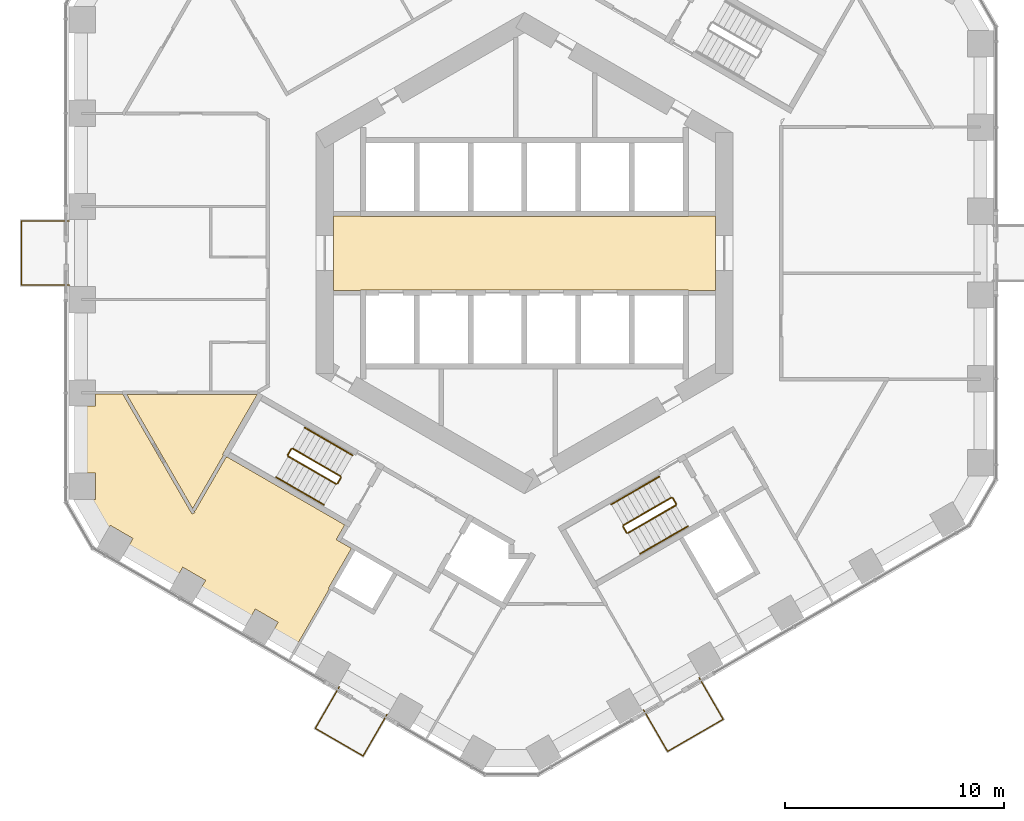
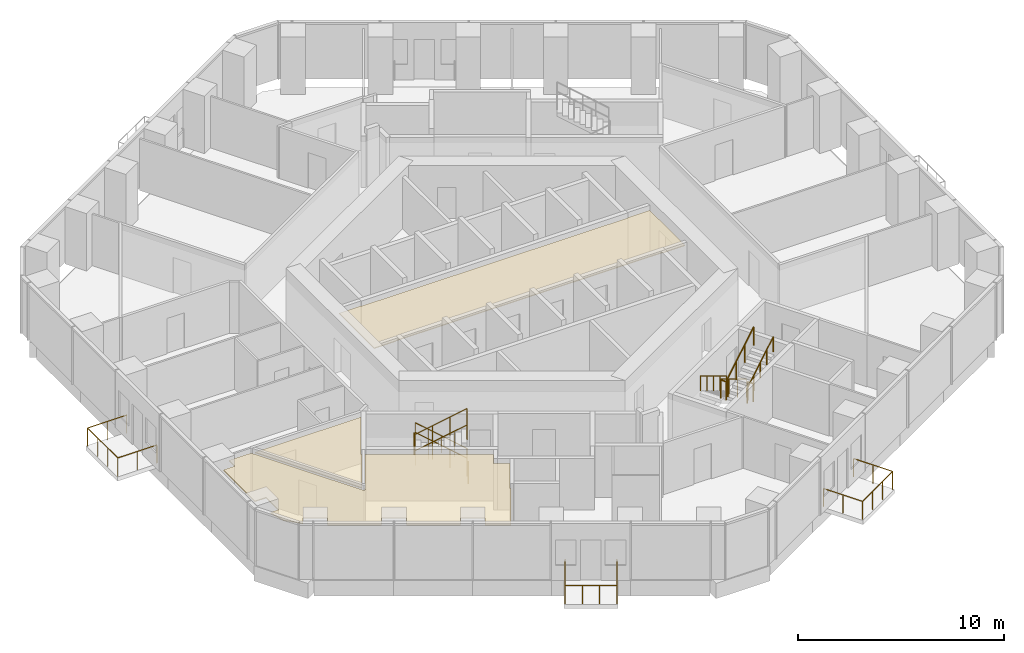
# One storey, part 18 of 20: 19 railings, 3 coverings.
"""IFC4 building model written with IfcOpenShell, lengths in metres."""

from ifc_helpers import new_model, si_unit, direction, frame, origin, origin_2d, place, context, subcontext, project, spatial, polyline, circle, outline, extrude, material, layer, layer_set, type_object, element, save


model = new_model("IFC4")

# Units and contexts
model_context = context("Model", 3, precision=1e-05, world=origin(), true_north=direction((0.0, 1.0)))
body_context = subcontext(model_context, "Body", "Model", "MODEL_VIEW")
ifc_project = project(units=[si_unit("LENGTHUNIT", "METRE"), si_unit("AREAUNIT", "SQUARE_METRE"), si_unit("VOLUMEUNIT", "CUBIC_METRE"), si_unit("PLANEANGLEUNIT", "RADIAN"), si_unit("MASSUNIT", "GRAM", prefix="KILO")], contexts=[model_context])

# Site, building, storey
site_placement = place(None, origin())
site = spatial("IfcSite", under=ifc_project, at=site_placement, CompositionType="ELEMENT")
building_placement = place(site_placement, origin())
building = spatial("IfcBuilding", under=site, at=building_placement, Name="Ayvan Gate Tower", CompositionType="ELEMENT")
storey_placement = place(building_placement, frame((0.0, 0.0, 59.5)))
storey = spatial("IfcBuildingStorey", under=building, at=storey_placement, Name="L15", CompositionType="ELEMENT", Elevation=59.5)

# Railings
ifc_material_1 = material(Name="Stainless steel 316 and laminated glass", Category="steel")
railing_type_1 = type_object("IfcRailingType", Name="Balcony balustrade 1100", PredefinedType="BALUSTRADE", material=ifc_material_1)
railing_1_placement = place(storey_placement, frame((-20.7412109375, 1.462158203125, 0.0)))
element("IfcRailing", 1, at=railing_1_placement, inside=storey, type_object=railing_type_1, Name="Balcony balustrade BAL-L15-3", PredefinedType="BALUSTRADE", context=body_context, shape_type="SweptSolid", body=[
    extrude(circle(Radius=0.02490234375, at=origin_2d()), frame((0.0, 0.0, 1.0751953125), z_axis=(-1.0, 0.0, 0.0), x_axis=(0.0, -1.0, 0.0)), (0.0, 0.0, 1.0), 2.18994140625),
    extrude(circle(Radius=0.02490234375, at=origin_2d()), frame((-2.18994140625, 0.0, 1.0751953125), z_axis=(0.0, -1.0, 0.0), x_axis=(1.0, 0.0, 0.0)), (0.0, 0.0, 1.0), 2.92431640625),
    extrude(circle(Radius=0.02490234375, at=origin_2d()), frame((-2.18994140625, -2.92431640625, 1.0751953125), z_axis=(1.0, 0.0, 0.0), x_axis=(0.0, 1.0, 0.0)), (0.0, 0.0, 1.0), 2.18994140625),
    extrude(circle(Radius=0.02001953125, at=origin_2d()), origin(), (0.0, 0.0, 1.0), 1.050048828125),
    extrude(circle(Radius=0.02001953125, at=origin_2d()), frame((-1.094970703125, 0.0, 0.0)), (0.0, 0.0, 1.0), 1.050048828125),
    extrude(circle(Radius=0.02001953125, at=origin_2d()), frame((-2.18994140625, 0.0, 0.0)), (0.0, 0.0, 1.0), 1.050048828125),
    extrude(circle(Radius=0.02001953125, at=origin_2d()), frame((-2.18994140625, -0.974853515625, 0.0)), (0.0, 0.0, 1.0), 1.050048828125),
    extrude(circle(Radius=0.02001953125, at=origin_2d()), frame((-2.18994140625, -1.949462890625, 0.0)), (0.0, 0.0, 1.0), 1.050048828125),
    extrude(circle(Radius=0.02001953125, at=origin_2d()), frame((-2.18994140625, -2.92431640625, 0.0)), (0.0, 0.0, 1.0), 1.050048828125),
    extrude(circle(Radius=0.02001953125, at=origin_2d()), frame((-1.094970703125, -2.92431640625, 0.0)), (0.0, 0.0, 1.0), 1.050048828125),
    extrude(circle(Radius=0.02001953125, at=origin_2d()), frame((0.0, -2.92431640625, 0.0)), (0.0, 0.0, 1.0), 1.050048828125),
])
railing_2_placement = place(storey_placement, frame((-8.43603515625, -19.7646484375, 0.0)))
element("IfcRailing", 2, at=railing_2_placement, inside=storey, type_object=railing_type_1, Name="Balcony balustrade BAL-L15-4", PredefinedType="BALUSTRADE", context=body_context, shape_type="SweptSolid", body=[
    extrude(circle(Radius=0.02490234375, at=origin_2d()), frame((0.0, 0.0, 1.0751953125), z_axis=(-0.500011965869, -0.866018495177, 0.0), x_axis=(0.866018495177, -0.500011965869, 0.0)), (0.0, 0.0, 1.0), 2.18994140625),
    extrude(circle(Radius=0.02490234375, at=origin_2d()), frame((-1.094970703125, -1.896484375, 1.0751953125), z_axis=(0.866028670036, -0.499994342644, 0.0), x_axis=(0.499994342644, 0.866028670036, 0.0)), (0.0, 0.0, 1.0), 2.51318359375),
    extrude(circle(Radius=0.02490234375, at=origin_2d()), frame((1.08154296875, -3.153076171875, 1.0751953125), z_axis=(0.499963694393, 0.866046363822, 0.0), x_axis=(-0.866046363822, 0.499963694393, 0.0)), (0.0, 0.0, 1.0), 2.190185546875),
    extrude(circle(Radius=0.02001953125, at=origin_2d()), origin(), (0.0, 0.0, 1.0), 1.050048828125),
    extrude(circle(Radius=0.02001953125, at=origin_2d()), frame((-0.54736328125, -0.9482421875, 0.0)), (0.0, 0.0, 1.0), 1.050048828125),
    extrude(circle(Radius=0.02001953125, at=origin_2d()), frame((-1.094970703125, -1.896484375, 0.0)), (0.0, 0.0, 1.0), 1.050048828125),
    extrude(circle(Radius=0.02001953125, at=origin_2d()), frame((-0.369384765625, -2.3154296875, 0.0)), (0.0, 0.0, 1.0), 1.050048828125),
    extrude(circle(Radius=0.02001953125, at=origin_2d()), frame((0.35595703125, -2.734130859375, 0.0)), (0.0, 0.0, 1.0), 1.050048828125),
    extrude(circle(Radius=0.02001953125, at=origin_2d()), frame((1.08154296875, -3.153076171875, 0.0)), (0.0, 0.0, 1.0), 1.050048828125),
    extrude(circle(Radius=0.02001953125, at=origin_2d()), frame((1.62890625, -2.20458984375, 0.0)), (0.0, 0.0, 1.0), 1.050048828125),
    extrude(circle(Radius=0.02001953125, at=origin_2d()), frame((2.176513671875, -1.25634765625, 0.0)), (0.0, 0.0, 1.0), 1.050048828125),
])
railing_3_placement = place(storey_placement, frame((5.4287109375, -20.8154296875, 0.0)))
element("IfcRailing", 3, at=railing_3_placement, inside=storey, type_object=railing_type_1, Name="Balcony balustrade BAL-L15-5", PredefinedType="BALUSTRADE", context=body_context, shape_type="SweptSolid", body=[
    extrude(circle(Radius=0.02490234375, at=origin_2d()), frame((0.0, 0.0, 1.0751953125), z_axis=(0.499963694393, -0.866046363822, 0.0), x_axis=(0.866046363822, 0.499963694393, 0.0)), (0.0, 0.0, 1.0), 2.190185546875),
    extrude(circle(Radius=0.02490234375, at=origin_2d()), frame((1.094970703125, -1.896728515625, 1.0751953125), z_axis=(0.866020138017, 0.500009120465, 0.0), x_axis=(-0.500009120465, 0.866020138017, 0.0)), (0.0, 0.0, 1.0), 2.92431640625),
    extrude(circle(Radius=0.02490234375, at=origin_2d()), frame((3.62744140625, -0.4345703125, 1.0751953125), z_axis=(-0.500011965869, 0.866018495177, 0.0), x_axis=(-0.866018495177, -0.500011965869, 0.0)), (0.0, 0.0, 1.0), 2.18994140625),
    extrude(circle(Radius=0.02001953125, at=origin_2d()), origin(), (0.0, 0.0, 1.0), 1.050048828125),
    extrude(circle(Radius=0.02001953125, at=origin_2d()), frame((0.54736328125, -0.9482421875, 0.0)), (0.0, 0.0, 1.0), 1.050048828125),
    extrude(circle(Radius=0.02001953125, at=origin_2d()), frame((1.094970703125, -1.896728515625, 0.0)), (0.0, 0.0, 1.0), 1.050048828125),
    extrude(circle(Radius=0.02001953125, at=origin_2d()), frame((1.939208984375, -1.409423828125, 0.0)), (0.0, 0.0, 1.0), 1.050048828125),
    extrude(circle(Radius=0.02001953125, at=origin_2d()), frame((2.783203125, -0.921875, 0.0)), (0.0, 0.0, 1.0), 1.050048828125),
    extrude(circle(Radius=0.02001953125, at=origin_2d()), frame((3.62744140625, -0.4345703125, 0.0)), (0.0, 0.0, 1.0), 1.050048828125),
    extrude(circle(Radius=0.02001953125, at=origin_2d()), frame((3.080078125, 0.513671875, 0.0)), (0.0, 0.0, 1.0), 1.050048828125),
    extrude(circle(Radius=0.02001953125, at=origin_2d()), frame((2.532470703125, 1.4619140625, 0.0)), (0.0, 0.0, 1.0), 1.050048828125),
])

# Coverings
ifc_material_2 = material(Name="Plasterboard suspended ceiling")
ifc_layer = layer(ifc_material_2, 0.050048828125)
ifc_layer_set = layer_set([ifc_layer], Name="Plasterboard suspended ceiling")
covering_type = type_object("IfcCoveringType", Name="CT-SUSP-50", PredefinedType="CEILING", material=ifc_layer_set)
covering_1_placement = place(storey_placement, frame((0.0, 0.0, 2.699951171875)))
element("IfcCovering", 4, at=covering_1_placement, inside=storey, type_object=covering_type, Name="Ceiling Lift Lobby L15", PredefinedType="CEILING", context=body_context, shape_type="SweptSolid", body=[
    extrude(outline(polyline([(7.47509765625, -1.675048828125), (-7.47509765625, -1.675048828125), (-7.47509765625, -1.699951171875), (-8.699951171875, -1.699951171875), (-8.699951171875, 1.699951171875), (-7.47509765625, 1.699951171875), (-7.47509765625, 1.675048828125), (7.47509765625, 1.675048828125), (7.47509765625, 1.699951171875), (8.699951171875, 1.699951171875), (8.699951171875, -1.699951171875), (7.47509765625, -1.699951171875), (7.47509765625, -1.675048828125)])), origin(), (0.0, 0.0, 1.0), 0.050048828125),
])
covering_2_placement = place(storey_placement, frame((0.0, 0.0, 2.699951171875)))
element("IfcCovering", 5, at=covering_2_placement, inside=storey, type_object=covering_type, Name="Ceiling Ring Corridor L15", PredefinedType="CEILING", context=body_context, shape_type="SweptSolid", body=[
    extrude(outline(polyline([(-13.712890625, -9.201416015625), (-15.122802734375, -11.643310546875), (-18.1259765625, -6.44140625), (-12.17724609375, -6.44140625), (-13.756103515625, -9.17626953125), (-13.712890625, -9.201416015625)])), origin(), (0.0, 0.0, 1.0), 0.050048828125),
])
covering_3_placement = place(storey_placement, frame((0.0, 0.0, 2.699951171875)))
element("IfcCovering", 6, at=covering_3_placement, inside=storey, type_object=covering_type, Name="Ceiling Gym L15", PredefinedType="CEILING", context=body_context, shape_type="SweptSolid", body=[
    extrude(outline(polyline([(-19.5615234375, -11.227783203125), (-19.5615234375, -10.027587890625), (-20.191162109375, -10.027587890625), (-20.191162109375, -6.9765625), (-19.5615234375, -6.9765625), (-19.5615234375, -6.41650390625), (-18.330810546875, -6.41650390625), (-18.330810546875, -6.44140625), (-18.299072265625, -6.44140625), (-15.150146484375, -11.895751953125), (-15.020263671875, -11.82080078125), (-15.06787109375, -11.73828125), (-15.020263671875, -11.765869140625), (-13.5830078125, -9.2763671875), (-13.556884765625, -9.291259765625), (-8.19189453125, -12.388916015625), (-8.579345703125, -13.06005859375), (-8.423583984375, -13.14990234375), (-7.88671875, -13.4599609375), (-8.9365234375, -15.278564453125), (-8.893310546875, -15.3037109375), (-10.435546875, -17.97509765625), (-11.526611328125, -17.34521484375), (-11.2265625, -16.825439453125), (-12.265869140625, -16.2255859375), (-12.56591796875, -16.7451171875), (-14.834228515625, -15.435546875), (-14.5341796875, -14.916015625), (-15.573486328125, -14.31591796875), (-15.873291015625, -14.83544921875), (-16.617919921875, -14.40576171875), (-18.141845703125, -13.52587890625), (-17.841796875, -13.006103515625), (-18.881103515625, -12.40625), (-19.105224609375, -12.79443359375), (-19.789306640625, -12.110595703125), (-20.02587890625, -11.227783203125), (-19.5615234375, -11.227783203125)])), origin(), (0.0, 0.0, 1.0), 0.050048828125),
])

# Railings
ifc_material_3 = material(Name="Stainless steel balustrade", Category="steel")
railing_type_2 = type_object("IfcRailingType", Name="RL-GUARD-1100", PredefinedType="GUARDRAIL", material=ifc_material_3)
railing_4_placement = place(storey_placement, frame((-8.381103515625, -10.16650390625, 0.169921875)))
element("IfcRailing", 7, at=railing_4_placement, inside=storey, type_object=railing_type_2, Name="L15 STS2 stair guard 1", PredefinedType="GUARDRAIL", context=body_context, shape_type="SweptSolid", body=[
    extrude(circle(Radius=0.02392578125, at=origin_2d()), frame((0.0, 0.0, 1.076171875), z_axis=(-0.740261155115, 0.427395438142, 0.518986090067), x_axis=(-0.500004791531, -0.866022637375, 0.0)), (0.0, 0.0, 1.0), 2.947998046875),
    extrude(circle(Radius=0.02099609375, at=origin_2d()), origin(), (0.0, 0.0, 1.0), 1.052001953125),
    extrude(circle(Radius=0.02099609375, at=origin_2d()), frame((-0.7275390625, 0.419921875, 0.510009765625)), (0.0, 0.0, 1.0), 1.052001953125),
    extrude(circle(Radius=0.02099609375, at=origin_2d()), frame((-1.454833984375, 0.840087890625, 1.02001953125)), (0.0, 0.0, 1.0), 1.052001953125),
    extrude(circle(Radius=0.02099609375, at=origin_2d()), frame((-2.182373046875, 1.260009765625, 1.530029296875)), (0.0, 0.0, 1.0), 1.052001953125),
])
railing_5_placement = place(storey_placement, frame((-10.6318359375, -8.9248046875, 1.699951171875)))
element("IfcRailing", 8, at=railing_5_placement, inside=storey, type_object=railing_type_2, Name="L15 STS2 stair guard 2", PredefinedType="GUARDRAIL", context=body_context, shape_type="SweptSolid", body=[
    extrude(circle(Radius=0.02392578125, at=origin_2d()), frame((0.0, 0.0, 1.076171875), z_axis=(-0.499949632511, -0.866054481515, 0.0), x_axis=(0.866054481515, -0.499949632511, 0.0)), (0.0, 0.0, 1.0), 0.31005859375),
    extrude(circle(Radius=0.02099609375, at=origin_2d()), origin(), (0.0, 0.0, 1.0), 1.052001953125),
    extrude(circle(Radius=0.02099609375, at=origin_2d()), frame((-0.155029296875, -0.2685546875, 0.0)), (0.0, 0.0, 1.0), 1.052001953125),
])
railing_6_placement = place(storey_placement, frame((-10.7685546875, -9.261474609375, 1.8701171875)))
element("IfcRailing", 9, at=railing_6_placement, inside=storey, type_object=railing_type_2, Name="L15 STS2 stair guard 3", PredefinedType="GUARDRAIL", context=body_context, shape_type="SweptSolid", body=[
    extrude(circle(Radius=0.02392578125, at=origin_2d()), frame((0.0, 0.0, 1.076171875), z_axis=(0.740292969978, -0.427413806696, 0.51892557891), x_axis=(0.500004791531, 0.866022637375, 0.0)), (0.0, 0.0, 1.0), 2.947998046875),
    extrude(circle(Radius=0.02099609375, at=origin_2d()), origin(), (0.0, 0.0, 1.0), 1.052001953125),
    extrude(circle(Radius=0.02099609375, at=origin_2d()), frame((0.7275390625, -0.419921875, 0.510009765625)), (0.0, 0.0, 1.0), 1.052001953125),
    extrude(circle(Radius=0.02099609375, at=origin_2d()), frame((1.454833984375, -0.840087890625, 1.019775390625)), (0.0, 0.0, 1.0), 1.052001953125),
    extrude(circle(Radius=0.02099609375, at=origin_2d()), frame((2.182373046875, -1.260009765625, 1.52978515625)), (0.0, 0.0, 1.0), 1.052001953125),
])
railing_7_placement = place(storey_placement, frame((-8.36279296875, -10.23486328125, 0.0)))
element("IfcRailing", 10, at=railing_7_placement, inside=storey, type_object=railing_type_2, Name="L15 STS2 stair guard 4", PredefinedType="GUARDRAIL", context=body_context, shape_type="SweptSolid", body=[
    extrude(circle(Radius=0.02392578125, at=origin_2d()), frame((0.0, 0.0, 1.076171875), z_axis=(-0.500290723946, -0.86585748916, 0.0), x_axis=(0.86585748916, -0.500290723946, 0.0)), (0.0, 0.0, 1.0), 0.309814453125),
    extrude(circle(Radius=0.02099609375, at=origin_2d()), origin(), (0.0, 0.0, 1.0), 1.052001953125),
    extrude(circle(Radius=0.02099609375, at=origin_2d()), frame((-0.155029296875, -0.268310546875, 0.0)), (0.0, 0.0, 1.0), 1.052001953125),
])
railing_8_placement = place(storey_placement, frame((6.6923828125, -11.1416015625, 0.169921875)))
element("IfcRailing", 11, at=railing_8_placement, inside=storey, type_object=railing_type_2, Name="L15 STS3 stair guard 1", PredefinedType="GUARDRAIL", context=body_context, shape_type="SweptSolid", body=[
    extrude(circle(Radius=0.02392578125, at=origin_2d()), frame((0.0, 0.0, 1.076171875), z_axis=(-0.740261155115, -0.427395438142, 0.518986090067), x_axis=(0.500004791531, -0.866022637375, 0.0)), (0.0, 0.0, 1.0), 2.947998046875),
    extrude(circle(Radius=0.02099609375, at=origin_2d()), origin(), (0.0, 0.0, 1.0), 1.052001953125),
    extrude(circle(Radius=0.02099609375, at=origin_2d()), frame((-0.7275390625, -0.419921875, 0.510009765625)), (0.0, 0.0, 1.0), 1.052001953125),
    extrude(circle(Radius=0.02099609375, at=origin_2d()), frame((-1.454833984375, -0.840087890625, 1.02001953125)), (0.0, 0.0, 1.0), 1.052001953125),
    extrude(circle(Radius=0.02099609375, at=origin_2d()), frame((-2.182373046875, -1.260009765625, 1.530029296875)), (0.0, 0.0, 1.0), 1.052001953125),
])
railing_9_placement = place(storey_placement, frame((4.49169921875, -12.4697265625, 1.699951171875)))
element("IfcRailing", 12, at=railing_9_placement, inside=storey, type_object=railing_type_2, Name="L15 STS3 stair guard 2", PredefinedType="GUARDRAIL", context=body_context, shape_type="SweptSolid", body=[
    extrude(circle(Radius=0.02392578125, at=origin_2d()), frame((0.0, 0.0, 1.076171875), z_axis=(0.499949632511, -0.866054481515, 0.0), x_axis=(0.866054481515, 0.499949632511, 0.0)), (0.0, 0.0, 1.0), 0.31005859375),
    extrude(circle(Radius=0.02099609375, at=origin_2d()), origin(), (0.0, 0.0, 1.0), 1.052001953125),
    extrude(circle(Radius=0.02099609375, at=origin_2d()), frame((0.155029296875, -0.2685546875, 0.0)), (0.0, 0.0, 1.0), 1.052001953125),
])
railing_10_placement = place(storey_placement, frame((4.715087890625, -12.756591796875, 1.8701171875)))
element("IfcRailing", 13, at=railing_10_placement, inside=storey, type_object=railing_type_2, Name="L15 STS3 stair guard 3", PredefinedType="GUARDRAIL", context=body_context, shape_type="SweptSolid", body=[
    extrude(circle(Radius=0.02392578125, at=origin_2d()), frame((0.0, 0.0, 1.076171875), z_axis=(0.740292969978, 0.427413806696, 0.51892557891), x_axis=(-0.500004791531, 0.866022637375, 0.0)), (0.0, 0.0, 1.0), 2.947998046875),
    extrude(circle(Radius=0.02099609375, at=origin_2d()), origin(), (0.0, 0.0, 1.0), 1.052001953125),
    extrude(circle(Radius=0.02099609375, at=origin_2d()), frame((0.7275390625, 0.419921875, 0.510009765625)), (0.0, 0.0, 1.0), 1.052001953125),
    extrude(circle(Radius=0.02099609375, at=origin_2d()), frame((1.454833984375, 0.840087890625, 1.019775390625)), (0.0, 0.0, 1.0), 1.052001953125),
    extrude(circle(Radius=0.02099609375, at=origin_2d()), frame((2.182373046875, 1.260009765625, 1.52978515625)), (0.0, 0.0, 1.0), 1.052001953125),
])
railing_11_placement = place(storey_placement, frame((6.7607421875, -11.159912109375, 0.0)))
element("IfcRailing", 14, at=railing_11_placement, inside=storey, type_object=railing_type_2, Name="L15 STS3 stair guard 4", PredefinedType="GUARDRAIL", context=body_context, shape_type="SweptSolid", body=[
    extrude(circle(Radius=0.02392578125, at=origin_2d()), frame((0.0, 0.0, 1.076171875), z_axis=(0.500290723946, -0.86585748916, 0.0), x_axis=(0.86585748916, 0.500290723946, 0.0)), (0.0, 0.0, 1.0), 0.309814453125),
    extrude(circle(Radius=0.02099609375, at=origin_2d()), origin(), (0.0, 0.0, 1.0), 1.052001953125),
    extrude(circle(Radius=0.02099609375, at=origin_2d()), frame((0.155029296875, -0.268310546875, 0.0)), (0.0, 0.0, 1.0), 1.052001953125),
])
railing_type_3 = type_object("IfcRailingType", Name="RL-HANDRAIL-900", PredefinedType="HANDRAIL", material=ifc_material_3)
railing_12_placement = place(storey_placement, frame((-7.8310546875, -9.2138671875, 0.169921875)))
element("IfcRailing", 15, at=railing_12_placement, inside=storey, type_object=railing_type_3, Name="L15 STS2 stair handrail 1", PredefinedType="HANDRAIL", context=body_context, shape_type="SweptSolid", body=[
    extrude(circle(Radius=0.02392578125, at=origin_2d()), frame((0.0, 0.0, 0.8759765625), z_axis=(-0.740292964666, 0.42728318766, 0.519033143459), x_axis=(-0.499890179513, -0.866088799389, 0.0)), (0.0, 0.0, 1.0), 1.47412109375),
    extrude(circle(Radius=0.02099609375, at=origin_2d()), origin(), (0.0, 0.0, 1.0), 0.851806640625),
    extrude(circle(Radius=0.02099609375, at=origin_2d()), frame((-0.545654296875, 0.31494140625, 0.382568359375)), (0.0, 0.0, 1.0), 0.851806640625),
    extrude(circle(Radius=0.02099609375, at=origin_2d()), frame((-1.09130859375, 0.6298828125, 0.76513671875)), (0.0, 0.0, 1.0), 0.851806640625),
])
railing_13_placement = place(storey_placement, frame((-8.92236328125, -8.583984375, 0.93505859375)))
element("IfcRailing", 16, at=railing_13_placement, inside=storey, type_object=railing_type_3, Name="L15 STS2 stair handrail 2", PredefinedType="HANDRAIL", context=body_context, shape_type="SweptSolid", body=[
    extrude(circle(Radius=0.02392578125, at=origin_2d()), frame((0.0, 0.0, 0.8759765625), z_axis=(-0.740229329464, 0.427507697325, 0.518939021976), x_axis=(-0.50011940292, -0.865956455501, 0.0)), (0.0, 0.0, 1.0), 1.473876953125),
    extrude(circle(Radius=0.02099609375, at=origin_2d()), origin(), (0.0, 0.0, 1.0), 0.851806640625),
    extrude(circle(Radius=0.02099609375, at=origin_2d()), frame((-0.54541015625, 0.31494140625, 0.38232421875)), (0.0, 0.0, 1.0), 0.851806640625),
    extrude(circle(Radius=0.02099609375, at=origin_2d()), frame((-1.091064453125, 0.630126953125, 0.764892578125)), (0.0, 0.0, 1.0), 0.851806640625),
])
railing_14_placement = place(storey_placement, frame((-11.318603515625, -10.214111328125, 1.8701171875)))
element("IfcRailing", 17, at=railing_14_placement, inside=storey, type_object=railing_type_3, Name="L15 STS2 stair handrail 3", PredefinedType="HANDRAIL", context=body_context, shape_type="SweptSolid", body=[
    extrude(circle(Radius=0.02392578125, at=origin_2d()), frame((0.0, 0.0, 0.8759765625), z_axis=(0.740304193401, -0.427455284825, 0.518875399983), x_axis=(0.500035496587, 0.86600490885, 0.0)), (0.0, 0.0, 1.0), 1.47412109375),
    extrude(circle(Radius=0.02099609375, at=origin_2d()), origin(), (0.0, 0.0, 1.0), 0.851806640625),
    extrude(circle(Radius=0.02099609375, at=origin_2d()), frame((0.545654296875, -0.31494140625, 0.38232421875)), (0.0, 0.0, 1.0), 0.851806640625),
    extrude(circle(Radius=0.02099609375, at=origin_2d()), frame((1.09130859375, -0.630126953125, 0.764892578125)), (0.0, 0.0, 1.0), 0.851806640625),
])
railing_15_placement = place(storey_placement, frame((-10.227294921875, -10.84423828125, 2.635009765625)))
element("IfcRailing", 18, at=railing_15_placement, inside=storey, type_object=railing_type_3, Name="L15 STS2 stair handrail 4", PredefinedType="HANDRAIL", context=body_context, shape_type="SweptSolid", body=[
    extrude(circle(Radius=0.02392578125, at=origin_2d()), frame((0.0, 0.0, 0.8759765625), z_axis=(0.740356597536, -0.427319915356, 0.518912129772), x_axis=(0.499890179513, 0.866088799389, 0.0)), (0.0, 0.0, 1.0), 1.47412109375),
    extrude(circle(Radius=0.02099609375, at=origin_2d()), origin(), (0.0, 0.0, 1.0), 0.851806640625),
    extrude(circle(Radius=0.02099609375, at=origin_2d()), frame((0.545654296875, -0.31494140625, 0.38232421875)), (0.0, 0.0, 1.0), 0.851806640625),
    extrude(circle(Radius=0.02099609375, at=origin_2d()), frame((1.09130859375, -0.6298828125, 0.764892578125)), (0.0, 0.0, 1.0), 0.851806640625),
])
railing_16_placement = place(storey_placement, frame((6.142333984375, -10.18896484375, 0.169921875)))
element("IfcRailing", 19, at=railing_16_placement, inside=storey, type_object=railing_type_3, Name="L15 STS3 stair handrail 1", PredefinedType="HANDRAIL", context=body_context, shape_type="SweptSolid", body=[
    extrude(circle(Radius=0.02392578125, at=origin_2d()), frame((0.0, 0.0, 0.8759765625), z_axis=(-0.740218099111, -0.427335577468, 0.519096782863), x_axis=(0.499974077718, -0.866040369504, 0.0)), (0.0, 0.0, 1.0), 1.473876953125),
    extrude(circle(Radius=0.02099609375, at=origin_2d()), origin(), (0.0, 0.0, 1.0), 0.851806640625),
    extrude(circle(Radius=0.02099609375, at=origin_2d()), frame((-0.54541015625, -0.31494140625, 0.382568359375)), (0.0, 0.0, 1.0), 0.851806640625),
    extrude(circle(Radius=0.02099609375, at=origin_2d()), frame((-1.091064453125, -0.6298828125, 0.76513671875)), (0.0, 0.0, 1.0), 0.851806640625),
])
railing_17_placement = place(storey_placement, frame((5.05126953125, -10.81884765625, 0.93505859375)))
element("IfcRailing", 20, at=railing_17_placement, inside=storey, type_object=railing_type_3, Name="L15 STS3 stair handrail 2", PredefinedType="HANDRAIL", context=body_context, shape_type="SweptSolid", body=[
    extrude(circle(Radius=0.02392578125, at=origin_2d()), frame((0.0, 0.0, 0.8759765625), z_axis=(-0.740304193401, -0.427455284825, 0.518875399983), x_axis=(0.500035496587, -0.86600490885, 0.0)), (0.0, 0.0, 1.0), 1.47412109375),
    extrude(circle(Radius=0.02099609375, at=origin_2d()), origin(), (0.0, 0.0, 1.0), 0.851806640625),
    extrude(circle(Radius=0.02099609375, at=origin_2d()), frame((-0.545654296875, -0.31494140625, 0.38232421875)), (0.0, 0.0, 1.0), 0.851806640625),
    extrude(circle(Radius=0.02099609375, at=origin_2d()), frame((-1.09130859375, -0.630126953125, 0.764892578125)), (0.0, 0.0, 1.0), 0.851806640625),
])
railing_18_placement = place(storey_placement, frame((5.264892578125, -13.709228515625, 1.8701171875)))
element("IfcRailing", 21, at=railing_18_placement, inside=storey, type_object=railing_type_3, Name="L15 STS3 stair handrail 3", PredefinedType="HANDRAIL", context=body_context, shape_type="SweptSolid", body=[
    extrude(circle(Radius=0.02392578125, at=origin_2d()), frame((0.0, 0.0, 0.8759765625), z_axis=(0.740304193401, 0.427455284825, 0.518875399983), x_axis=(-0.500035496587, 0.86600490885, 0.0)), (0.0, 0.0, 1.0), 1.47412109375),
    extrude(circle(Radius=0.02099609375, at=origin_2d()), origin(), (0.0, 0.0, 1.0), 0.851806640625),
    extrude(circle(Radius=0.02099609375, at=origin_2d()), frame((0.545654296875, 0.31494140625, 0.38232421875)), (0.0, 0.0, 1.0), 0.851806640625),
    extrude(circle(Radius=0.02099609375, at=origin_2d()), frame((1.09130859375, 0.630126953125, 0.764892578125)), (0.0, 0.0, 1.0), 0.851806640625),
])
railing_19_placement = place(storey_placement, frame((6.356201171875, -13.0791015625, 2.635009765625)))
element("IfcRailing", 22, at=railing_19_placement, inside=storey, type_object=railing_type_3, Name="L15 STS3 stair handrail 4", PredefinedType="HANDRAIL", context=body_context, shape_type="SweptSolid", body=[
    extrude(circle(Radius=0.02392578125, at=origin_2d()), frame((0.0, 0.0, 0.8759765625), z_axis=(0.740281741151, 0.427372318678, 0.518975765278), x_axis=(-0.499974077718, 0.866040369504, 0.0)), (0.0, 0.0, 1.0), 1.473876953125),
    extrude(circle(Radius=0.02099609375, at=origin_2d()), origin(), (0.0, 0.0, 1.0), 0.851806640625),
    extrude(circle(Radius=0.02099609375, at=origin_2d()), frame((0.54541015625, 0.31494140625, 0.38232421875)), (0.0, 0.0, 1.0), 0.851806640625),
    extrude(circle(Radius=0.02099609375, at=origin_2d()), frame((1.091064453125, 0.6298828125, 0.764892578125)), (0.0, 0.0, 1.0), 0.851806640625),
])

save(model, "model.ifc")
